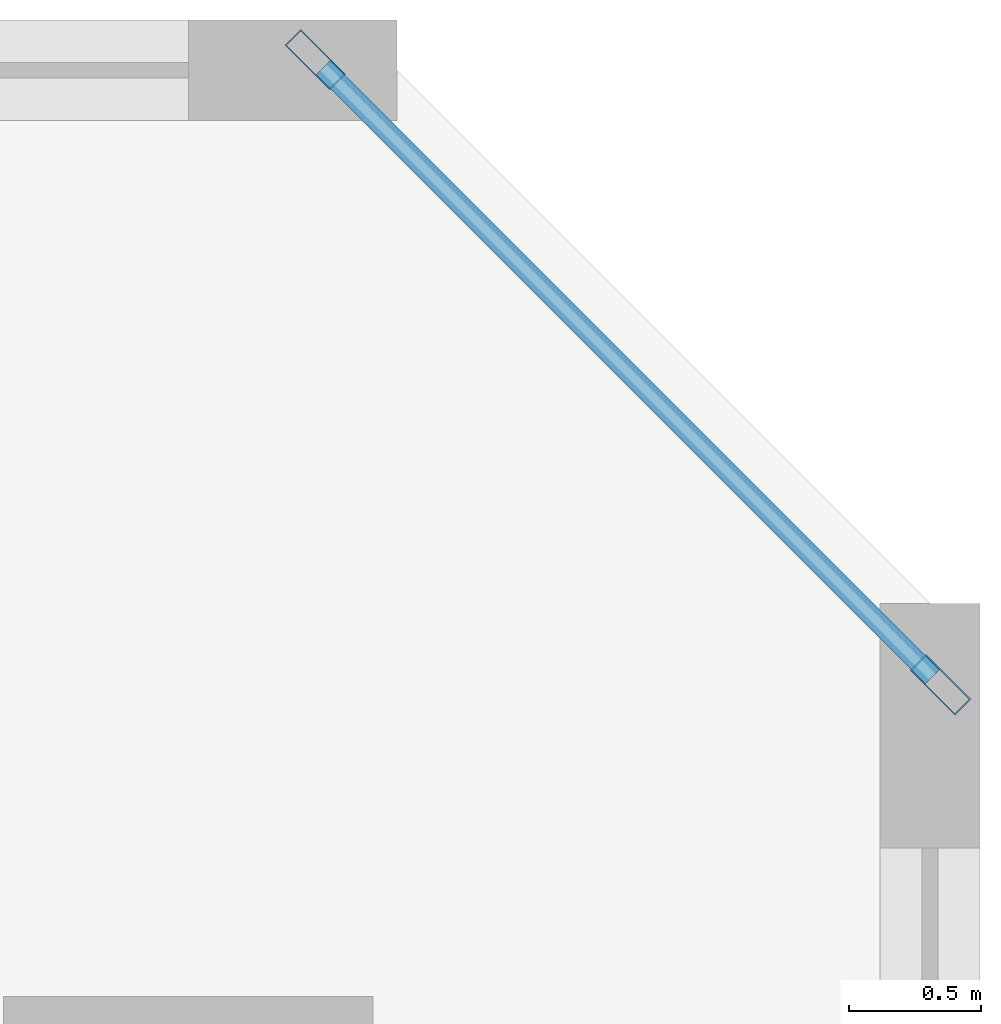
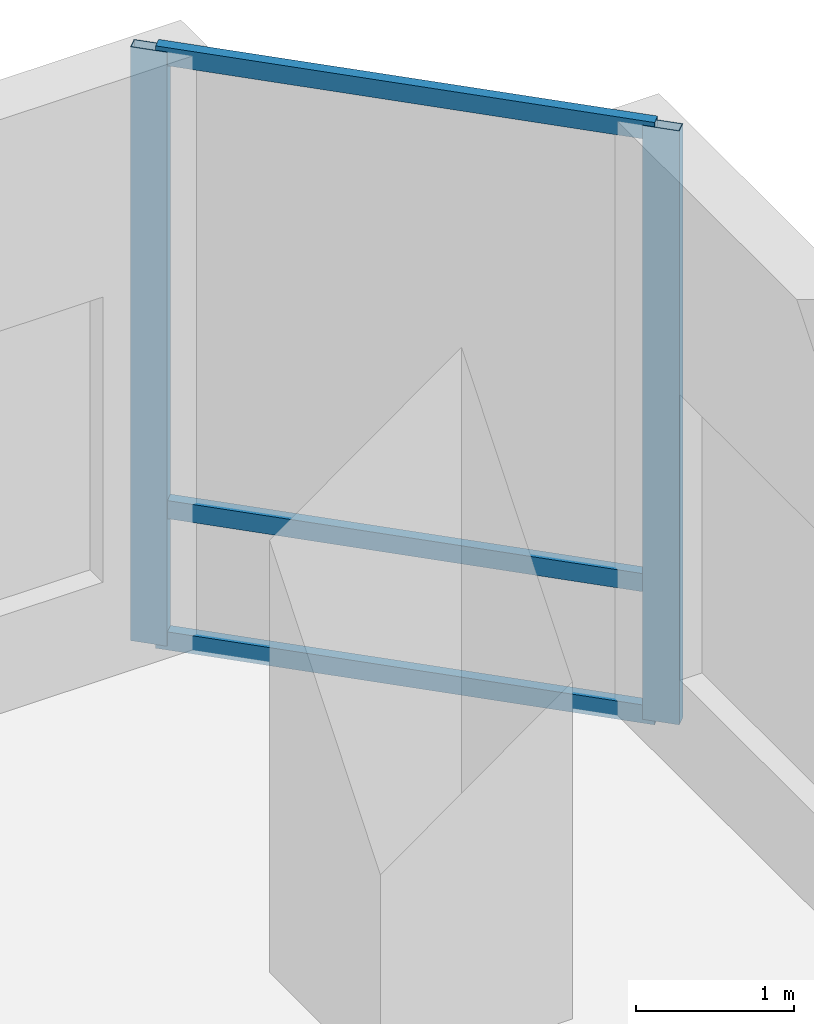
# One storey, part 8 of 20: 5 members, 1 element without a shape of its own.
"""IFC4 building model written with IfcOpenShell, lengths in metres."""

from ifc_helpers import new_model, si_unit, direction, frame, origin, origin_2d, place, context, subcontext, project, spatial, hollow_rectangle, extrude, material, layer, layer_set, material_profile, profile_set, type_object, element, aggregate, save


model = new_model("IFC4")

# Units and contexts
model_context = context("Model", 3, precision=1e-05, world=origin(), true_north=direction((0.0, 1.0)))
body_context = subcontext(model_context, "Body", "Model", "MODEL_VIEW")
ifc_project = project(units=[si_unit("LENGTHUNIT", "METRE"), si_unit("AREAUNIT", "SQUARE_METRE"), si_unit("VOLUMEUNIT", "CUBIC_METRE"), si_unit("PLANEANGLEUNIT", "RADIAN"), si_unit("MASSUNIT", "GRAM", prefix="KILO")], contexts=[model_context])

# Site, building, storey
site_placement = place(None, origin())
site = spatial("IfcSite", under=ifc_project, at=site_placement, CompositionType="ELEMENT")
building_placement = place(site_placement, origin())
building = spatial("IfcBuilding", under=site, at=building_placement, Name="Kestravale Grand Hotel", CompositionType="ELEMENT")
storey_placement = place(building_placement, frame((0.0, 0.0, 15.800048828125)))
storey = spatial("IfcBuildingStorey", under=building, at=storey_placement, Name="L03", CompositionType="ELEMENT", Elevation=15.800048828125)

# Curtain wall, members
ifc_material_1 = material(Name="Thermally broken champagne-bronze aluminium and low-E glazing", Category="aluminium")
ifc_layer = layer(ifc_material_1, 0.239990234375)
ifc_layer_set = layer_set([ifc_layer], Name="CW-POD")
curtain_wall_type = type_object("IfcCurtainWallType", Name="CW-POD", PredefinedType="NOTDEFINED", material=ifc_layer_set)
curtain_wall_placement = place(storey_placement, origin())
curtain_wall = element("IfcCurtainWall", 1, at=curtain_wall_placement, inside=storey, type_object=curtain_wall_type, Name="L03 unitised curtain wall 4", PredefinedType="NOTDEFINED")
ifc_material_2 = material(Name="Aluminium 6063-T6 anodised", Category="aluminium")
ifc_material_profile_1 = material_profile(ifc_material_2, hollow_rectangle(XDim=0.0849609375, YDim=0.239990234375, WallThickness=0.00439453125, at=origin_2d()))
ifc_profile_set_1 = profile_set([ifc_material_profile_1], Name="Aluminium 6063-T6 anodised")
member_type_1 = type_object("IfcMemberType", Name="CW-MUL-240", PredefinedType="MULLION", material=ifc_profile_set_1)
member_1_placement = place(storey_placement, frame((80.849853515625, 49.08154296875, 0.0), z_axis=(0.0, 0.0, 1.0), x_axis=(-0.707106781187, -0.707106781187, 0.0)))
member_1 = element("IfcMember", 2, at=member_1_placement, type_object=member_type_1, Name="CW-POD mullion 1", PredefinedType="MULLION", context=body_context, shape_type="SweptSolid", body=[
    extrude(hollow_rectangle(XDim=0.0849609375, YDim=0.239990234375, WallThickness=0.00439453125, at=origin_2d()), origin(), (0.0, 0.0, 1.0), 4.579833984375),
])
member_2_placement = place(storey_placement, frame((78.4814453125, 51.44970703125, 0.0), z_axis=(0.0, 0.0, 1.0), x_axis=(-0.707106781187, -0.707106781187, 0.0)))
member_2 = element("IfcMember", 3, at=member_2_placement, type_object=member_type_1, Name="CW-POD mullion 2", PredefinedType="MULLION", context=body_context, shape_type="SweptSolid", body=[
    extrude(hollow_rectangle(XDim=0.0849609375, YDim=0.239990234375, WallThickness=0.00439453125, at=origin_2d()), origin(), (0.0, 0.0, 1.0), 4.579833984375),
])
ifc_material_3 = material(Name="Aluminium 6063-T6 anodised", Category="aluminium")
ifc_material_profile_2 = material_profile(ifc_material_3, hollow_rectangle(XDim=0.074951171875, YDim=0.139892578125, WallThickness=0.00341796875, at=origin_2d()))
ifc_profile_set_2 = profile_set([ifc_material_profile_2], Name="Aluminium 6063-T6 anodised")
member_type_2 = type_object("IfcMemberType", Name="CW-TRN-140", PredefinedType="USERDEFINED", material=ifc_profile_set_2)
member_3_placement = place(storey_placement, frame((80.819580078125, 49.111572265625, 0.037353515625), z_axis=(-0.707069380992, 0.707144179403, 0.0), x_axis=(-0.707144179403, -0.707069380992, 0.0)))
member_3 = element("IfcMember", 4, at=member_3_placement, type_object=member_type_2, Name="CW-POD transom 1.1", ObjectType="TRANSOM", PredefinedType="USERDEFINED", context=body_context, shape_type="SweptSolid", body=[
    extrude(hollow_rectangle(XDim=0.074951171875, YDim=0.139892578125, WallThickness=0.00341796875, at=origin_2d()), origin(), (0.0, 0.0, 1.0), 3.263916015625),
])
member_4_placement = place(storey_placement, frame((80.819580078125, 49.111572265625, 1.050048828125), z_axis=(-0.707069380992, 0.707144179403, 0.0), x_axis=(-0.707144179403, -0.707069380992, 0.0)))
member_4 = element("IfcMember", 5, at=member_4_placement, type_object=member_type_2, Name="CW-POD transom 1.2", ObjectType="TRANSOM", PredefinedType="USERDEFINED", context=body_context, shape_type="SweptSolid", body=[
    extrude(hollow_rectangle(XDim=0.074951171875, YDim=0.139892578125, WallThickness=0.00341796875, at=origin_2d()), origin(), (0.0, 0.0, 1.0), 3.263916015625),
])
member_5_placement = place(storey_placement, frame((80.819580078125, 49.111572265625, 4.54248046875), z_axis=(-0.707069380992, 0.707144179403, 0.0), x_axis=(-0.707144179403, -0.707069380992, 0.0)))
member_5 = element("IfcMember", 6, at=member_5_placement, type_object=member_type_2, Name="CW-POD transom 1.3", ObjectType="TRANSOM", PredefinedType="USERDEFINED", context=body_context, shape_type="SweptSolid", body=[
    extrude(hollow_rectangle(XDim=0.074951171875, YDim=0.139892578125, WallThickness=0.00341796875, at=origin_2d()), origin(), (0.0, 0.0, 1.0), 3.263916015625),
])
aggregate(curtain_wall, [member_1, member_2, member_3, member_4, member_5])

save(model, "model.ifc")
